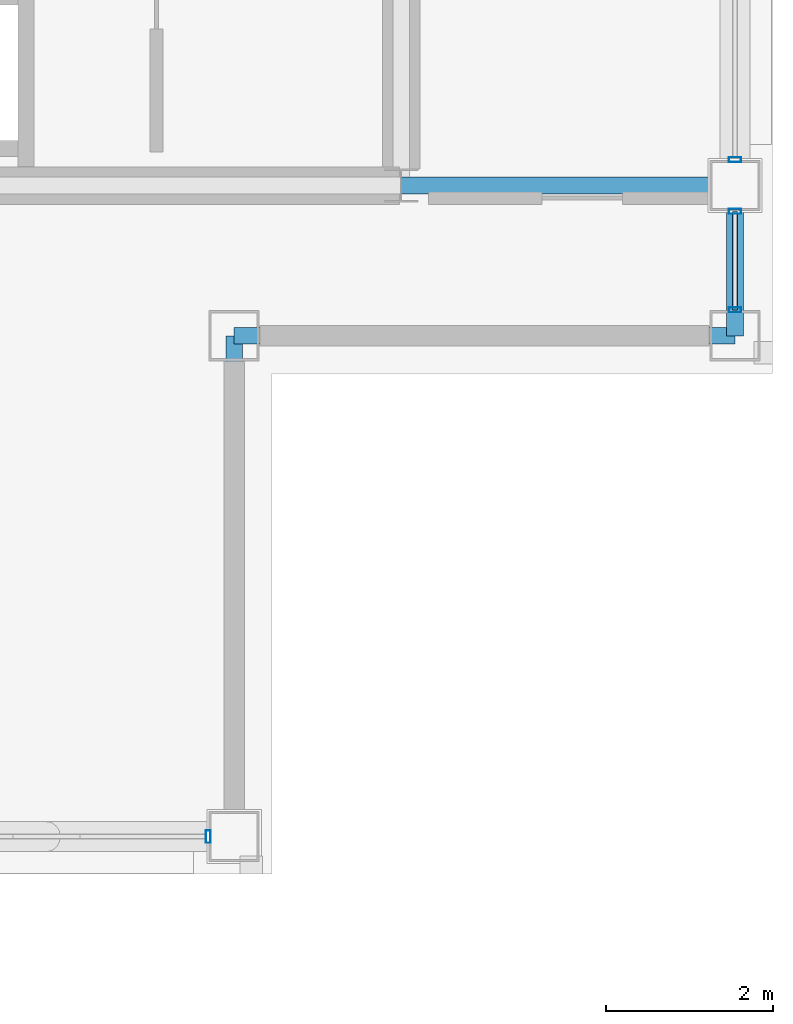
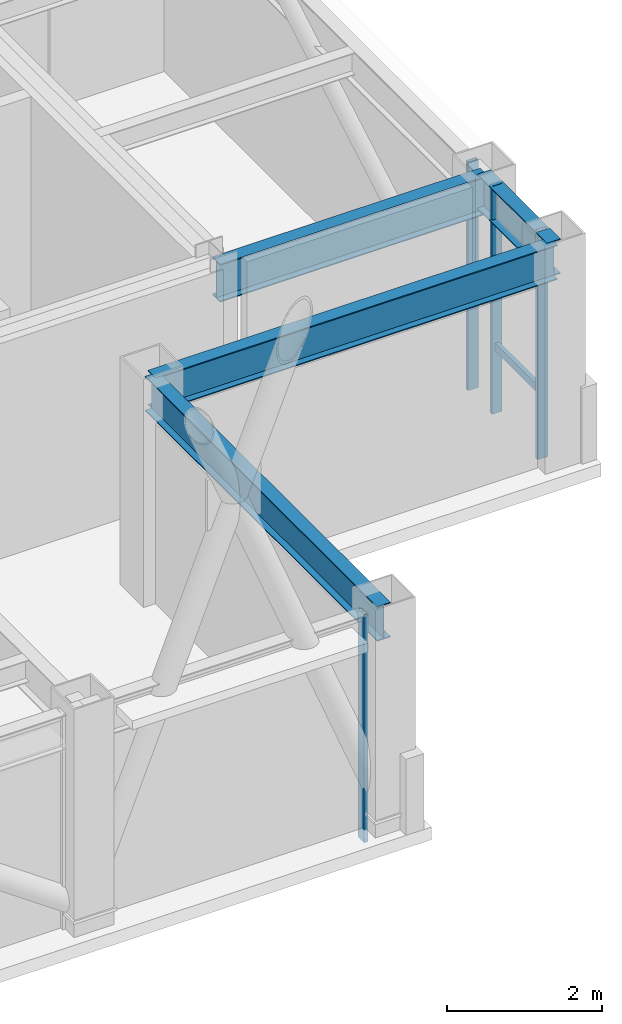
# One storey, part 12 of 24: 5 members, 4 beams, 3 elements without a shape of their own.
"""IFC4 building model written with IfcOpenShell, lengths in metres."""

from ifc_helpers import new_model, si_unit, direction, frame, origin, origin_2d, place, context, subcontext, project, spatial, hollow_rectangle, i_section, extrude, material, layer, layer_set, material_profile, profile_set, type_object, element, aggregate, save


model = new_model("IFC4")

# Units and contexts
model_context = context("Model", 3, precision=1e-05, world=origin(), true_north=direction((0.0, 1.0)))
body_context = subcontext(model_context, "Body", "Model", "MODEL_VIEW")
ifc_project = project(units=[si_unit("LENGTHUNIT", "METRE"), si_unit("AREAUNIT", "SQUARE_METRE"), si_unit("VOLUMEUNIT", "CUBIC_METRE"), si_unit("PLANEANGLEUNIT", "RADIAN"), si_unit("MASSUNIT", "GRAM", prefix="KILO")], contexts=[model_context])

# Site, building, storey
site_placement = place(None, origin())
site = spatial("IfcSite", under=ifc_project, at=site_placement, CompositionType="ELEMENT")
building_placement = place(site_placement, origin())
building = spatial("IfcBuilding", under=site, at=building_placement, Name="Brelmoor Portico Tower", CompositionType="ELEMENT")
storey_placement = place(building_placement, frame((0.0, 0.0, 268.800048828125)))
storey = spatial("IfcBuildingStorey", under=building, at=storey_placement, Name="L71", CompositionType="ELEMENT", Elevation=268.800048828125)

# Beams
ifc_material_1 = material(Name="Steel Q355B", Category="steel")
ifc_material_profile_1 = material_profile(ifc_material_1, i_section(OverallWidth=0.199951171875, OverallDepth=0.60009765625, WebThickness=0.010986328125, FlangeThickness=0.01708984375, at=origin_2d()), Name="HN 600x200x11x17")
ifc_profile_set_1 = profile_set([ifc_material_profile_1], Name="Steel Q355B")
beam_type_1 = type_object("IfcBeamType", Name="BM-PG-600", PredefinedType="BEAM", material=ifc_profile_set_1)
beam_1_placement = place(storey_placement, frame((14.550048828125, -9.75, 3.099853515625), z_axis=(1.0, 0.0, 0.0), x_axis=(0.0, 1.0, 0.0)))
element("IfcBeam", 1, at=beam_1_placement, inside=storey, type_object=beam_type_1, Name="L71 Primary Floor Girder PG-15", PredefinedType="BEAM", context=body_context, shape_type="SweptSolid", body=[
    extrude(i_section(OverallWidth=0.199951171875, OverallDepth=0.60009765625, WebThickness=0.010986328125, FlangeThickness=0.01708984375, at=origin_2d()), origin(), (0.0, 0.0, 1.0), 4.0),
])
ifc_material_profile_2 = material_profile(ifc_material_1, i_section(OverallWidth=0.199951171875, OverallDepth=0.550048828125, WebThickness=0.010009765625, FlangeThickness=0.01611328125, at=origin_2d()), Name="HN 550x200x10x16")
ifc_profile_set_2 = profile_set([ifc_material_profile_2], Name="Steel Q355B")
beam_type_2 = type_object("IfcBeamType", Name="BM-SP-550", PredefinedType="SPANDREL", material=ifc_profile_set_2)
for number, where, z_axis, x_axis, name in (
    (2, (12.550048828125, -11.550048828125, 3.125), (1.0, 0.0, 0.0), (0.0, 1.0, 0.0), "L71 Perimeter Spandrel Beam SP-05"),
    (3, (12.550048828125, -17.550048828125, 3.125), (0.0, 1.0, 0.0), (-1.0, 0.0, 0.0), "L71 Perimeter Spandrel Beam SP-16"),
):
    element("IfcBeam", number, at=place(storey_placement, frame(where, z_axis=z_axis, x_axis=x_axis)), inside=storey, type_object=beam_type_2, Name=name, PredefinedType="SPANDREL", context=body_context, shape_type="SweptSolid", body=[
        extrude(i_section(OverallWidth=0.199951171875, OverallDepth=0.550048828125, WebThickness=0.010009765625, FlangeThickness=0.01611328125, at=origin_2d()), origin(), (0.0, 0.0, 1.0), 6.0),
    ])
beam_2_placement = place(storey_placement, frame((18.550048828125, -11.550048828125, 3.125), z_axis=(0.0, 1.0, 0.0), x_axis=(-1.0, 0.0, 0.0)))
element("IfcBeam", 4, at=beam_2_placement, inside=storey, type_object=beam_type_2, Name="L71 Perimeter Spandrel Beam SP-18", PredefinedType="SPANDREL", context=body_context, shape_type="SweptSolid", body=[
    extrude(i_section(OverallWidth=0.199951171875, OverallDepth=0.550048828125, WebThickness=0.010009765625, FlangeThickness=0.01611328125, at=origin_2d()), origin(), (0.0, 0.0, 1.0), 1.800048828125),
])

# Curtain wall, member
ifc_material_2 = material(Name="Anodised Aluminium Alloy 6063-T6", Category="aluminium")
ifc_layer_1 = layer(ifc_material_2, 0.179931640625)
ifc_layer_set_1 = layer_set([ifc_layer_1], Name="Anodised Aluminium Alloy 6063-T6")
curtain_wall_type_1 = type_object("IfcCurtainWallType", Name="CW-TOWER-Z4-XB", PredefinedType="NOTDEFINED", material=ifc_layer_set_1)
curtain_wall_1_placement = place(storey_placement, origin())
curtain_wall_1 = element("IfcCurtainWall", 5, at=curtain_wall_1_placement, inside=storey, type_object=curtain_wall_type_1, Name="L71 Curtain Wall CW-L71-01-3", PredefinedType="NOTDEFINED")
ifc_material_profile_3 = material_profile(ifc_material_2, hollow_rectangle(XDim=0.06005859375, YDim=0.14990234375, WallThickness=0.00390625, at=origin_2d()), Name="ALU MULLION 60x150")
ifc_profile_set_3 = profile_set([ifc_material_profile_3], Name="Anodised Aluminium Alloy 6063-T6")
member_type_1 = type_object("IfcMemberType", Name="MB-CW-MULL-150", PredefinedType="MULLION", material=ifc_profile_set_3)
member_1_placement = place(storey_placement, frame((12.239990234375, -17.550048828125, -0.199951171875), z_axis=(0.0, 0.0, 1.0), x_axis=(1.0, 0.0, 0.0)))
member_1 = element("IfcMember", 6, at=member_1_placement, type_object=member_type_1, Name="CW-L71-01-3 Mullion 01", PredefinedType="MULLION", context=body_context, shape_type="SweptSolid", body=[
    extrude(hollow_rectangle(XDim=0.06005859375, YDim=0.14990234375, WallThickness=0.00390625, at=origin_2d()), origin(), (0.0, 0.0, 1.0), 3.599853515625),
])
aggregate(curtain_wall_1, [member_1])

# Curtain wall, members
ifc_layer_2 = layer(ifc_material_2, 0.179931640625)
ifc_layer_set_2 = layer_set([ifc_layer_2], Name="Anodised Aluminium Alloy 6063-T6")
curtain_wall_type_2 = type_object("IfcCurtainWallType", Name="CW-TOWER-Z4", PredefinedType="NOTDEFINED", material=ifc_layer_set_2)
curtain_wall_2_placement = place(storey_placement, origin())
curtain_wall_2 = element("IfcCurtainWall", 7, at=curtain_wall_2_placement, inside=storey, type_object=curtain_wall_type_2, Name="L71 Curtain Wall CW-L71-04-1", PredefinedType="NOTDEFINED")
member_2_placement = place(storey_placement, frame((18.550048828125, -11.239990234375, -0.199951171875), z_axis=(0.0, 0.0, 1.0), x_axis=(0.0, 1.0, 0.0)))
member_2 = element("IfcMember", 8, at=member_2_placement, type_object=member_type_1, Name="CW-L71-04-1 Mullion 00", PredefinedType="MULLION", context=body_context, shape_type="SweptSolid", body=[
    extrude(hollow_rectangle(XDim=0.06005859375, YDim=0.14990234375, WallThickness=0.00390625, at=origin_2d()), origin(), (0.0, 0.0, 1.0), 3.599853515625),
])
member_3_placement = place(storey_placement, frame((18.550048828125, -10.06005859375, -0.199951171875), z_axis=(0.0, 0.0, 1.0), x_axis=(0.0, 1.0, 0.0)))
member_3 = element("IfcMember", 9, at=member_3_placement, type_object=member_type_1, Name="CW-L71-04-1 Mullion 01", PredefinedType="MULLION", context=body_context, shape_type="SweptSolid", body=[
    extrude(hollow_rectangle(XDim=0.06005859375, YDim=0.14990234375, WallThickness=0.00390625, at=origin_2d()), origin(), (0.0, 0.0, 1.0), 3.599853515625),
])

# Curtain wall, member
curtain_wall_3_placement = place(storey_placement, origin())
curtain_wall_3 = element("IfcCurtainWall", 10, at=curtain_wall_3_placement, inside=storey, type_object=curtain_wall_type_1, Name="L71 Curtain Wall CW-L71-04-2", PredefinedType="NOTDEFINED")
member_4_placement = place(storey_placement, frame((18.550048828125, -9.43994140625, -0.199951171875), z_axis=(0.0, 0.0, 1.0), x_axis=(0.0, 1.0, 0.0)))
member_4 = element("IfcMember", 11, at=member_4_placement, type_object=member_type_1, Name="CW-L71-04-2 Mullion 00", PredefinedType="MULLION", context=body_context, shape_type="SweptSolid", body=[
    extrude(hollow_rectangle(XDim=0.06005859375, YDim=0.14990234375, WallThickness=0.00390625, at=origin_2d()), origin(), (0.0, 0.0, 1.0), 3.599853515625),
])
aggregate(curtain_wall_3, [member_4])

# Member
ifc_material_profile_4 = material_profile(ifc_material_2, hollow_rectangle(XDim=0.06005859375, YDim=0.125, WallThickness=0.00341796875, at=origin_2d()), Name="ALU TRANSOM 60x125")
ifc_profile_set_4 = profile_set([ifc_material_profile_4], Name="Anodised Aluminium Alloy 6063-T6")
member_type_2 = type_object("IfcMemberType", Name="MB-CW-TRAN-125", PredefinedType="USERDEFINED", material=ifc_profile_set_4)
member_5_placement = place(storey_placement, frame((18.550048828125, -11.239990234375, 0.849853515625), z_axis=(0.0, 1.0, 0.0), x_axis=(-1.0, 0.0, 0.0)))
member_5 = element("IfcMember", 12, at=member_5_placement, type_object=member_type_2, Name="CW-L71-04-1 Transom 1-00", ObjectType="TRANSOM", PredefinedType="USERDEFINED", context=body_context, shape_type="SweptSolid", body=[
    extrude(hollow_rectangle(XDim=0.06005859375, YDim=0.125, WallThickness=0.00341796875, at=origin_2d()), origin(), (0.0, 0.0, 1.0), 1.179931640625),
])

aggregate(curtain_wall_2, [member_2, member_3, member_5])

save(model, "model.ifc")
